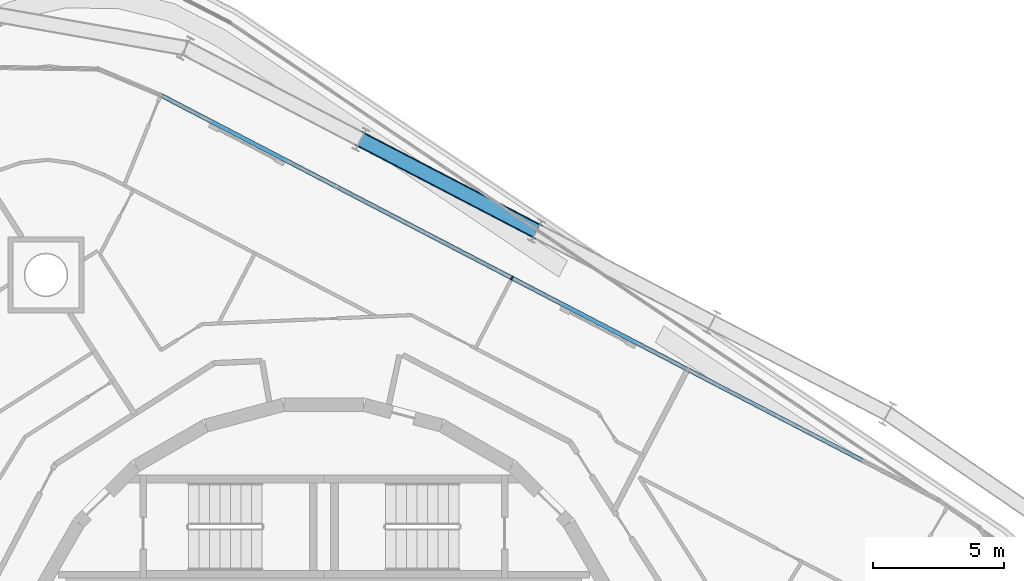
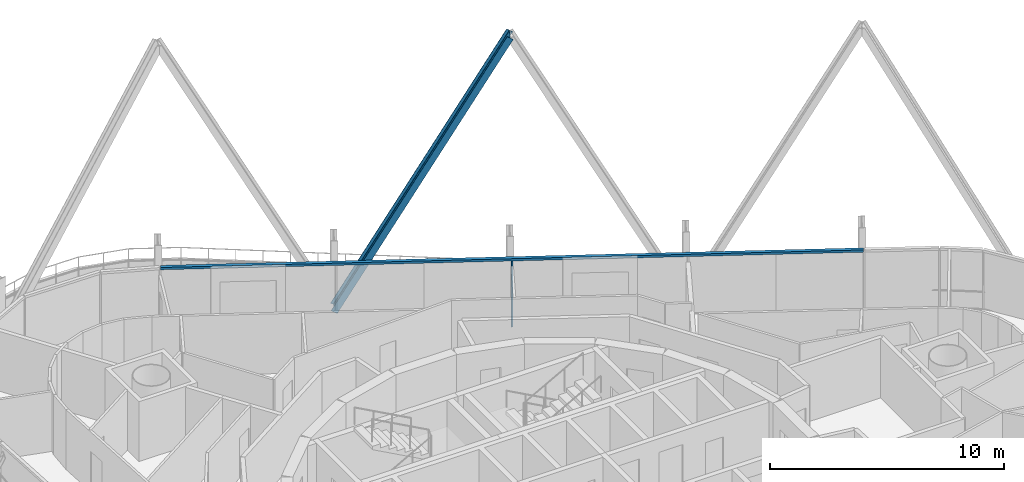
# One storey, part 7 of 20: 3 members, 1 element without a shape of its own.
"""IFC4 building model written with IfcOpenShell, lengths in metres."""

from ifc_helpers import new_model, si_unit, direction, frame, origin, origin_2d, place, context, subcontext, project, spatial, rectangle, i_section, extrude, material, layer, layer_set, material_profile, profile_set, type_object, element, aggregate, save


model = new_model("IFC4")

# Units and contexts
model_context = context("Model", 3, precision=1e-05, world=origin(), true_north=direction((0.0, 1.0)))
body_context = subcontext(model_context, "Body", "Model", "MODEL_VIEW")
ifc_project = project(units=[si_unit("LENGTHUNIT", "METRE"), si_unit("AREAUNIT", "SQUARE_METRE"), si_unit("VOLUMEUNIT", "CUBIC_METRE"), si_unit("PLANEANGLEUNIT", "RADIAN"), si_unit("MASSUNIT", "GRAM", prefix="KILO")], contexts=[model_context])

# Site, building, storey
site_placement = place(None, origin())
site = spatial("IfcSite", under=ifc_project, at=site_placement, CompositionType="ELEMENT")
building_placement = place(site_placement, origin())
building = spatial("IfcBuilding", under=site, at=building_placement, Name="Spindle Arch Residences", CompositionType="ELEMENT")
storey_placement = place(building_placement, frame((0.0, 0.0, 226.699951171875)))
storey = spatial("IfcBuildingStorey", under=building, at=storey_placement, Name="L57", CompositionType="ELEMENT", Elevation=226.699951171875)

# Curtain wall, members
ifc_material_1 = material(Name="Aluminium bronze unitised frame with tinted glass", Category="aluminium")
ifc_layer = layer(ifc_material_1, 0.159912109375)
ifc_layer_set = layer_set([ifc_layer], Name="CW-C typical residential unitised wall")
curtain_wall_type = type_object("IfcCurtainWallType", Name="CW-C typical residential unitised wall", PredefinedType="NOTDEFINED", material=ifc_layer_set)
curtain_wall_placement = place(storey_placement, origin())
curtain_wall = element("IfcCurtainWall", 1, at=curtain_wall_placement, inside=storey, type_object=curtain_wall_type, Name="CW-C L57 run 2", PredefinedType="NOTDEFINED")
ifc_material_2 = material(Name="Aluminium bronze anodised mullion", Category="aluminium")
ifc_material_profile_1 = material_profile(ifc_material_2, rectangle(XDim=0.159912109375, YDim=0.06005859375, at=origin_2d()), Name="MU 60x160")
ifc_profile_set_1 = profile_set([ifc_material_profile_1], Name="Aluminium bronze anodised mullion")
member_type_1 = type_object("IfcMemberType", Name="Bronze mullion 60x160", PredefinedType="MULLION", material=ifc_profile_set_1)
member_1_placement = place(storey_placement, frame((7.15869140625, 16.4697265625, -0.449951171875), z_axis=(0.0, 0.0, 1.0), x_axis=(-0.461748613235, -0.887010833178, 0.0)))
member_1 = element("IfcMember", 2, at=member_1_placement, type_object=member_type_1, Name="CW-C mullion 07", PredefinedType="MULLION", context=body_context, shape_type="SweptSolid", body=[
    extrude(rectangle(XDim=0.159912109375, YDim=0.06005859375, at=origin_2d()), origin(), (0.0, 0.0, 1.0), 3.449951171875),
])
ifc_material_3 = material(Name="Aluminium bronze anodised transom", Category="aluminium")
ifc_material_profile_2 = material_profile(ifc_material_3, rectangle(XDim=0.159912109375, YDim=0.1201171875, at=origin_2d()), Name="TR 120x160")
ifc_profile_set_2 = profile_set([ifc_material_profile_2], Name="Aluminium bronze anodised transom")
member_type_2 = type_object("IfcMemberType", Name="Bronze transom 120x160", PredefinedType="USERDEFINED", material=ifc_profile_set_2)
member_2_placement = place(storey_placement, frame((20.49072265625, 9.529541015625, 3.06005859375), z_axis=(-0.887009936453, 0.461750335825, 0.0), x_axis=(-0.461750335825, -0.887009936453, 0.0)))
member_2 = element("IfcMember", 3, at=member_2_placement, type_object=member_type_2, Name="CW-C transom 00", ObjectType="TRANSOM", PredefinedType="USERDEFINED", context=body_context, shape_type="SweptSolid", body=[
    extrude(rectangle(XDim=0.159912109375, YDim=0.1201171875, at=origin_2d()), origin(), (0.0, 0.0, 1.0), 30.060302734375),
])
aggregate(curtain_wall, [member_2, member_1])

# Member
ifc_material_4 = material(Name="Steel S460ML, intumescent coating R 240", Category="steel")
ifc_material_profile_3 = material_profile(ifc_material_4, i_section(OverallWidth=0.300048828125, OverallDepth=0.60009765625, WebThickness=0.015380859375, FlangeThickness=0.030029296875, FilletRadius=0.027099609375, at=origin_2d()), Name="HEB 600")
ifc_profile_set_3 = profile_set([ifc_material_profile_3], Name="Steel S460ML, intumescent coating R 240")
member_type_3 = type_object("IfcMemberType", Name="Diagrid diagonal HEB 600", PredefinedType="BRACE", material=ifc_profile_set_3)
member_3_placement = place(storey_placement, frame((1.412109375, 21.738525390625, -0.699951171875), z_axis=(0.418539894553, -0.217883075452, 0.881675292894), x_axis=(-0.782051711886, 0.407119690061, 0.471856628544)))
element("IfcMember", 4, at=member_3_placement, inside=storey, type_object=member_type_3, Name="Diagrid diagonal 6.1.8", PredefinedType="BRACE", context=body_context, shape_type="SweptSolid", body=[
    extrude(i_section(OverallWidth=0.300048828125, OverallDepth=0.60009765625, WebThickness=0.015380859375, FlangeThickness=0.030029296875, FilletRadius=0.027099609375, at=origin_2d()), origin(), (0.0, 0.0, 1.0), 15.958251953125),
])

save(model, "model.ifc")
